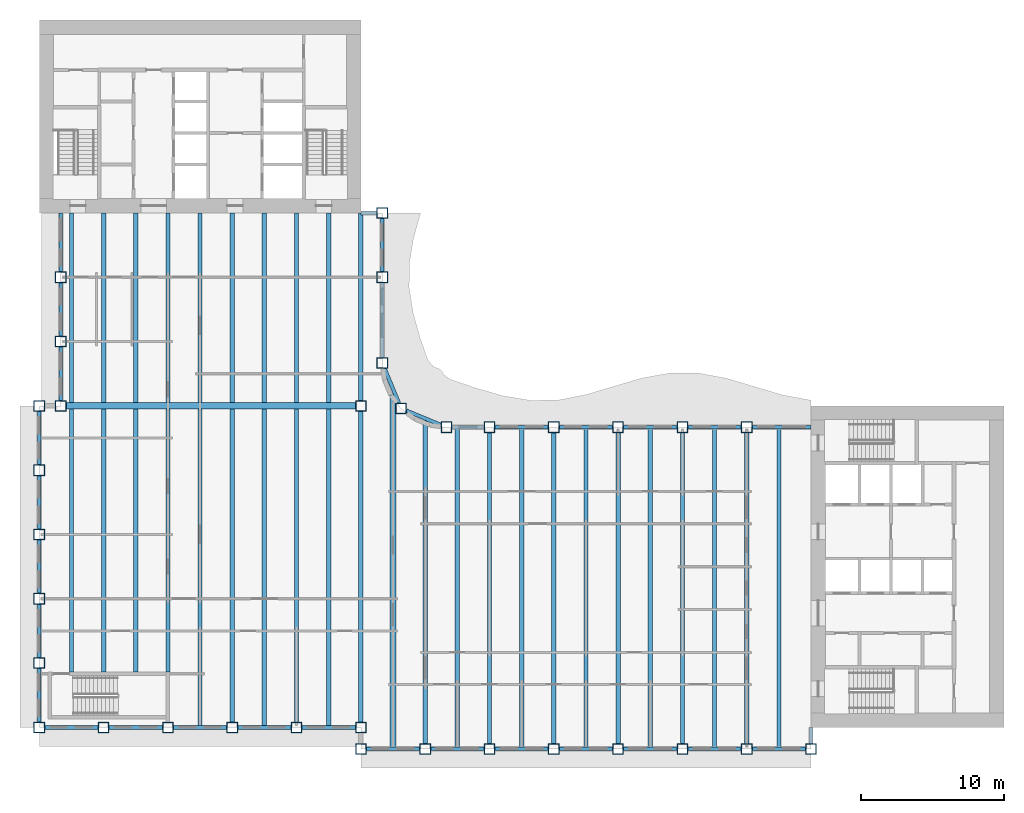
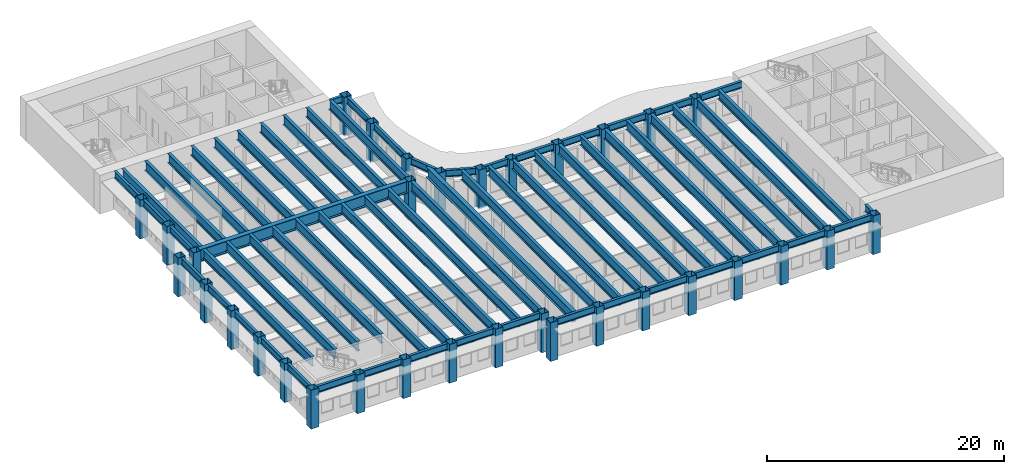
# One storey, part 1 of 17: 66 beams, 33 columns.
"""IFC4 building model written with IfcOpenShell, lengths in metres."""

from ifc_helpers import new_model, si_unit, direction, frame, origin, origin_2d, place, context, subcontext, project, spatial, hollow_rectangle, i_section, extrude, material, material_profile, profile_set, type_object, element, save


model = new_model("IFC4")

# Units and contexts
model_context = context("Model", 3, precision=1e-05, world=origin(), true_north=direction((0.0, 1.0)))
body_context = subcontext(model_context, "Body", "Model", "MODEL_VIEW")
ifc_project = project(units=[si_unit("LENGTHUNIT", "METRE"), si_unit("AREAUNIT", "SQUARE_METRE"), si_unit("VOLUMEUNIT", "CUBIC_METRE"), si_unit("PLANEANGLEUNIT", "RADIAN"), si_unit("MASSUNIT", "GRAM", prefix="KILO")], contexts=[model_context])

# Site, building, storey
site_placement = place(None, origin())
site = spatial("IfcSite", under=ifc_project, at=site_placement, CompositionType="ELEMENT")
building_placement = place(site_placement, origin())
building = spatial("IfcBuilding", under=site, at=building_placement, Name="Sennacour Bend Tower", CompositionType="ELEMENT")
storey_placement = place(building_placement, frame((0.0, 0.0, 215.0)))
storey = spatial("IfcBuildingStorey", under=building, at=storey_placement, Name="L49", CompositionType="ELEMENT", Elevation=215.0)

# Columns
ifc_material_1 = material(Name="Steel ASTM A572 Grade 50", Category="steel")
ifc_material_profile_1 = material_profile(ifc_material_1, hollow_rectangle(XDim=0.75, YDim=0.75, WallThickness=0.035888671875, at=origin_2d()), Name="Steel ASTM A572 Grade 50", Category="steel")
ifc_profile_set_1 = profile_set([ifc_material_profile_1], Name="Steel ASTM A572 Grade 50")
column_type = type_object("IfcColumnType", Name="Box column 750", PredefinedType="COLUMN", material=ifc_profile_set_1)
for number, where, z_axis, x_axis, name in (
    (1, (0.0, 0.0, -0.14990234375), (0.0, 0.0, 1.0), (1.0, 0.0, 0.0), "Perimeter column C4 L49-001"),
    (2, (0.0, 4.5, -0.14990234375), (0.0, 0.0, 1.0), (1.0, 0.0, 0.0), "Perimeter column C4 L49-002"),
    (3, (0.0, 9.0, -0.14990234375), (0.0, 0.0, 1.0), (1.0, 0.0, 0.0), "Perimeter column C4 L49-003"),
    (4, (0.0, 13.5, -0.14990234375), (0.0, 0.0, 1.0), (1.0, 0.0, 0.0), "Perimeter column C4 L49-004"),
    (5, (0.0, 18.0, -0.14990234375), (0.0, 0.0, 1.0), (1.0, 0.0, 0.0), "Perimeter column C4 L49-005"),
    (6, (0.0, 22.5, -0.14990234375), (0.0, 0.0, 1.0), (1.0, 0.0, 0.0), "Perimeter column C4 L49-006"),
    (7, (1.5, 22.5, -0.14990234375), (0.0, 0.0, 1.0), (1.0, 0.0, 0.0), "Perimeter column C4 L49-007"),
    (8, (1.5, 27.0, -0.14990234375), (0.0, 0.0, 1.0), (1.0, 0.0, 0.0), "Perimeter column C4 L49-008"),
    (9, (1.5, 31.5, -0.14990234375), (0.0, 0.0, 1.0), (1.0, 0.0, 0.0), "Perimeter column C4 L49-009"),
    (10, (4.5, 0.0, -0.14990234375), (0.0, 0.0, 1.0), (1.0, 0.0, 0.0), "Perimeter column C4 L49-010"),
    (11, (9.0, 0.0, -0.14990234375), (0.0, 0.0, 1.0), (1.0, 0.0, 0.0), "Perimeter column C4 L49-011"),
    (12, (13.5, 0.0, -0.14990234375), (0.0, 0.0, 1.0), (1.0, 0.0, 0.0), "Perimeter column C4 L49-012"),
    (13, (18.0, 0.0, -0.14990234375), (0.0, 0.0, 1.0), (1.0, 0.0, 0.0), "Perimeter column C4 L49-013"),
    (14, (22.5, -1.5, -0.14990234375), (0.0, 0.0, 1.0), (1.0, 0.0, 0.0), "Perimeter column C4 L49-014"),
    (15, (22.5, 0.0, -0.14990234375), (0.0, 0.0, 1.0), (1.0, 0.0, 0.0), "Perimeter column C4 L49-015"),
    (16, (22.5, 22.5, -0.14990234375), (0.0, 0.0, 1.0), (1.0, 0.0, 0.0), "Knuckle column C4 L49-016"),
    (17, (24.0, 25.5, -0.14990234375), (0.0, 0.0, 1.0), (1.0, 0.0, 0.0), "Perimeter column C4 L49-017"),
    (18, (24.0, 31.5, -0.14990234375), (0.0, 0.0, 1.0), (1.0, 0.0, 0.0), "Perimeter column C4 L49-018"),
    (19, (24.0, 36.0, -0.14990234375), (0.0, 0.0, 1.0), (1.0, 0.0, 0.0), "Perimeter column C4 L49-019"),
    (20, (25.318115234375, 22.318115234375, -0.14990234375), (0.0, 0.0, 1.0), (1.0, 0.0, 0.0), "Perimeter column C4 L49-020"),
    (21, (27.0, -1.5, -0.14990234375), (0.0, 0.0, 1.0), (1.0, 0.0, 0.0), "Perimeter column C4 L49-021"),
    (22, (28.5, 21.0, -0.14990234375), (0.0, 0.0, 1.0), (1.0, 0.0, 0.0), "Perimeter column C4 L49-022"),
    (23, (31.5, -1.5, -0.14990234375), (0.0, 0.0, 1.0), (1.0, 0.0, 0.0), "Perimeter column C4 L49-023"),
    (24, (31.5, 21.0, -0.14990234375), (0.0, 0.0, 1.0), (1.0, 0.0, 0.0), "Perimeter column C4 L49-024"),
    (25, (36.0, -1.5, -0.14990234375), (0.0, 0.0, 1.0), (1.0, 0.0, 0.0), "Perimeter column C4 L49-025"),
    (26, (36.0, 21.0, -0.14990234375), (0.0, 0.0, 1.0), (1.0, 0.0, 0.0), "Perimeter column C4 L49-026"),
    (27, (40.5, -1.5, -0.14990234375), (0.0, 0.0, 1.0), (1.0, 0.0, 0.0), "Perimeter column C4 L49-027"),
    (28, (40.5, 21.0, -0.14990234375), (0.0, 0.0, 1.0), (1.0, 0.0, 0.0), "Perimeter column C4 L49-028"),
    (29, (45.0, -1.5, -0.14990234375), (0.0, 0.0, 1.0), (1.0, 0.0, 0.0), "Perimeter column C4 L49-029"),
    (30, (45.0, 21.0, -0.14990234375), (0.0, 0.0, 1.0), (1.0, 0.0, 0.0), "Perimeter column C4 L49-030"),
    (31, (49.5, -1.5, -0.14990234375), (0.0, 0.0, 1.0), (1.0, 0.0, 0.0), "Perimeter column C4 L49-031"),
    (32, (49.5, 21.0, -0.14990234375), (0.0, 0.0, 1.0), (1.0, 0.0, 0.0), "Perimeter column C4 L49-032"),
    (33, (54.0, -1.5, -0.14990234375), (0.0, 0.0, 1.0), (1.0, 0.0, 0.0), "Perimeter column C4 L49-033"),
):
    element("IfcColumn", number, at=place(storey_placement, frame(where, z_axis=z_axis, x_axis=x_axis)), inside=storey, type_object=column_type, Name=name, PredefinedType="COLUMN", context=body_context, shape_type="SweptSolid", body=[
        extrude(hollow_rectangle(XDim=0.75, YDim=0.75, WallThickness=0.035888671875, at=origin_2d()), origin(), (0.0, 0.0, 1.0), 4.0),
    ])

# Beams
ifc_material_2 = material(Name="Steel ASTM A992 Grade 50", Category="steel")
ifc_material_profile_2 = material_profile(ifc_material_2, i_section(OverallWidth=0.300048828125, OverallDepth=0.97998046875, WebThickness=0.0166015625, FlangeThickness=0.026123046875, FilletRadius=0.02978515625, at=origin_2d()), Name="Steel ASTM A992 Grade 50", Category="steel")
ifc_profile_set_2 = profile_set([ifc_material_profile_2], Name="Steel ASTM A992 Grade 50")
beam_type_1 = type_object("IfcBeamType", Name="Floor beam W1000X249", PredefinedType="BEAM", material=ifc_profile_set_2)
beam_1_placement = place(storey_placement, frame((2.25, 3.875, 3.360107421875), z_axis=(0.0, 1.0, 0.0), x_axis=(-1.0, 0.0, 0.0)))
element("IfcBeam", 34, at=beam_1_placement, inside=storey, type_object=beam_type_1, Name="Floor beam FBM2 L50-001", PredefinedType="BEAM", context=body_context, shape_type="SweptSolid", body=[
    extrude(i_section(OverallWidth=0.300048828125, OverallDepth=0.97998046875, WebThickness=0.0166015625, FlangeThickness=0.026123046875, FilletRadius=0.02978515625, at=origin_2d()), origin(), (0.0, 0.0, 1.0), 18.39990234375),
])
beam_2_placement = place(storey_placement, frame((2.25, 22.72509765625, 3.360107421875), z_axis=(0.0, 1.0, 0.0), x_axis=(-1.0, 0.0, 0.0)))
element("IfcBeam", 35, at=beam_2_placement, inside=storey, type_object=beam_type_1, Name="Floor beam FBM2 L50-002", PredefinedType="BEAM", context=body_context, shape_type="SweptSolid", body=[
    extrude(i_section(OverallWidth=0.300048828125, OverallDepth=0.97998046875, WebThickness=0.0166015625, FlangeThickness=0.026123046875, FilletRadius=0.02978515625, at=origin_2d()), origin(), (0.0, 0.0, 1.0), 13.27490234375),
])
beam_3_placement = place(storey_placement, frame((4.5, 3.875, 3.360107421875), z_axis=(0.0, 1.0, 0.0), x_axis=(-1.0, 0.0, 0.0)))
element("IfcBeam", 36, at=beam_3_placement, inside=storey, type_object=beam_type_1, Name="Floor beam FBM2 L50-003", PredefinedType="BEAM", context=body_context, shape_type="SweptSolid", body=[
    extrude(i_section(OverallWidth=0.300048828125, OverallDepth=0.97998046875, WebThickness=0.0166015625, FlangeThickness=0.026123046875, FilletRadius=0.02978515625, at=origin_2d()), origin(), (0.0, 0.0, 1.0), 18.39990234375),
])
beam_4_placement = place(storey_placement, frame((4.5, 22.72509765625, 3.360107421875), z_axis=(0.0, 1.0, 0.0), x_axis=(-1.0, 0.0, 0.0)))
element("IfcBeam", 37, at=beam_4_placement, inside=storey, type_object=beam_type_1, Name="Floor beam FBM2 L50-004", PredefinedType="BEAM", context=body_context, shape_type="SweptSolid", body=[
    extrude(i_section(OverallWidth=0.300048828125, OverallDepth=0.97998046875, WebThickness=0.0166015625, FlangeThickness=0.026123046875, FilletRadius=0.02978515625, at=origin_2d()), origin(), (0.0, 0.0, 1.0), 13.27490234375),
])
beam_5_placement = place(storey_placement, frame((6.75, 3.875, 3.360107421875), z_axis=(0.0, 1.0, 0.0), x_axis=(-1.0, 0.0, 0.0)))
element("IfcBeam", 38, at=beam_5_placement, inside=storey, type_object=beam_type_1, Name="Floor beam FBM2 L50-005", PredefinedType="BEAM", context=body_context, shape_type="SweptSolid", body=[
    extrude(i_section(OverallWidth=0.300048828125, OverallDepth=0.97998046875, WebThickness=0.0166015625, FlangeThickness=0.026123046875, FilletRadius=0.02978515625, at=origin_2d()), origin(), (0.0, 0.0, 1.0), 18.39990234375),
])
beam_6_placement = place(storey_placement, frame((6.75, 22.72509765625, 3.360107421875), z_axis=(0.0, 1.0, 0.0), x_axis=(-1.0, 0.0, 0.0)))
element("IfcBeam", 39, at=beam_6_placement, inside=storey, type_object=beam_type_1, Name="Floor beam FBM2 L50-006", PredefinedType="BEAM", context=body_context, shape_type="SweptSolid", body=[
    extrude(i_section(OverallWidth=0.300048828125, OverallDepth=0.97998046875, WebThickness=0.0166015625, FlangeThickness=0.026123046875, FilletRadius=0.02978515625, at=origin_2d()), origin(), (0.0, 0.0, 1.0), 13.27490234375),
])
beam_7_placement = place(storey_placement, frame((9.0, 3.875, 3.360107421875), z_axis=(0.0, 1.0, 0.0), x_axis=(-1.0, 0.0, 0.0)))
element("IfcBeam", 40, at=beam_7_placement, inside=storey, type_object=beam_type_1, Name="Floor beam FBM2 L50-007", PredefinedType="BEAM", context=body_context, shape_type="SweptSolid", body=[
    extrude(i_section(OverallWidth=0.300048828125, OverallDepth=0.97998046875, WebThickness=0.0166015625, FlangeThickness=0.026123046875, FilletRadius=0.02978515625, at=origin_2d()), origin(), (0.0, 0.0, 1.0), 18.39990234375),
])
beam_8_placement = place(storey_placement, frame((9.0, 22.72509765625, 3.360107421875), z_axis=(0.0, 1.0, 0.0), x_axis=(-1.0, 0.0, 0.0)))
element("IfcBeam", 41, at=beam_8_placement, inside=storey, type_object=beam_type_1, Name="Floor beam FBM2 L50-008", PredefinedType="BEAM", context=body_context, shape_type="SweptSolid", body=[
    extrude(i_section(OverallWidth=0.300048828125, OverallDepth=0.97998046875, WebThickness=0.0166015625, FlangeThickness=0.026123046875, FilletRadius=0.02978515625, at=origin_2d()), origin(), (0.0, 0.0, 1.0), 13.27490234375),
])
beam_9_placement = place(storey_placement, frame((11.25, 0.12841796875, 3.360107421875), z_axis=(0.0, 1.0, 0.0), x_axis=(-1.0, 0.0, 0.0)))
element("IfcBeam", 42, at=beam_9_placement, inside=storey, type_object=beam_type_1, Name="Floor beam FBM2 L50-009", PredefinedType="BEAM", context=body_context, shape_type="SweptSolid", body=[
    extrude(i_section(OverallWidth=0.300048828125, OverallDepth=0.97998046875, WebThickness=0.0166015625, FlangeThickness=0.026123046875, FilletRadius=0.02978515625, at=origin_2d()), origin(), (0.0, 0.0, 1.0), 22.146484375),
])
beam_10_placement = place(storey_placement, frame((11.25, 22.72509765625, 3.360107421875), z_axis=(0.0, 1.0, 0.0), x_axis=(-1.0, 0.0, 0.0)))
element("IfcBeam", 43, at=beam_10_placement, inside=storey, type_object=beam_type_1, Name="Floor beam FBM2 L50-010", PredefinedType="BEAM", context=body_context, shape_type="SweptSolid", body=[
    extrude(i_section(OverallWidth=0.300048828125, OverallDepth=0.97998046875, WebThickness=0.0166015625, FlangeThickness=0.026123046875, FilletRadius=0.02978515625, at=origin_2d()), origin(), (0.0, 0.0, 1.0), 13.27490234375),
])
beam_11_placement = place(storey_placement, frame((13.5, 0.375, 3.360107421875), z_axis=(0.0, 1.0, 0.0), x_axis=(-1.0, 0.0, 0.0)))
element("IfcBeam", 44, at=beam_11_placement, inside=storey, type_object=beam_type_1, Name="Floor beam FBM2 L50-011", PredefinedType="BEAM", context=body_context, shape_type="SweptSolid", body=[
    extrude(i_section(OverallWidth=0.300048828125, OverallDepth=0.97998046875, WebThickness=0.0166015625, FlangeThickness=0.026123046875, FilletRadius=0.02978515625, at=origin_2d()), origin(), (0.0, 0.0, 1.0), 21.89990234375),
])
beam_12_placement = place(storey_placement, frame((13.5, 22.72509765625, 3.360107421875), z_axis=(0.0, 1.0, 0.0), x_axis=(-1.0, 0.0, 0.0)))
element("IfcBeam", 45, at=beam_12_placement, inside=storey, type_object=beam_type_1, Name="Floor beam FBM2 L50-012", PredefinedType="BEAM", context=body_context, shape_type="SweptSolid", body=[
    extrude(i_section(OverallWidth=0.300048828125, OverallDepth=0.97998046875, WebThickness=0.0166015625, FlangeThickness=0.026123046875, FilletRadius=0.02978515625, at=origin_2d()), origin(), (0.0, 0.0, 1.0), 13.27490234375),
])
beam_13_placement = place(storey_placement, frame((15.75, 0.12841796875, 3.360107421875), z_axis=(0.0, 1.0, 0.0), x_axis=(-1.0, 0.0, 0.0)))
element("IfcBeam", 46, at=beam_13_placement, inside=storey, type_object=beam_type_1, Name="Floor beam FBM2 L50-013", PredefinedType="BEAM", context=body_context, shape_type="SweptSolid", body=[
    extrude(i_section(OverallWidth=0.300048828125, OverallDepth=0.97998046875, WebThickness=0.0166015625, FlangeThickness=0.026123046875, FilletRadius=0.02978515625, at=origin_2d()), origin(), (0.0, 0.0, 1.0), 22.146484375),
])
beam_14_placement = place(storey_placement, frame((15.75, 22.72509765625, 3.360107421875), z_axis=(0.0, 1.0, 0.0), x_axis=(-1.0, 0.0, 0.0)))
element("IfcBeam", 47, at=beam_14_placement, inside=storey, type_object=beam_type_1, Name="Floor beam FBM2 L50-014", PredefinedType="BEAM", context=body_context, shape_type="SweptSolid", body=[
    extrude(i_section(OverallWidth=0.300048828125, OverallDepth=0.97998046875, WebThickness=0.0166015625, FlangeThickness=0.026123046875, FilletRadius=0.02978515625, at=origin_2d()), origin(), (0.0, 0.0, 1.0), 13.27490234375),
])
beam_15_placement = place(storey_placement, frame((18.0, 0.375, 3.360107421875), z_axis=(0.0, 1.0, 0.0), x_axis=(-1.0, 0.0, 0.0)))
element("IfcBeam", 48, at=beam_15_placement, inside=storey, type_object=beam_type_1, Name="Floor beam FBM2 L50-015", PredefinedType="BEAM", context=body_context, shape_type="SweptSolid", body=[
    extrude(i_section(OverallWidth=0.300048828125, OverallDepth=0.97998046875, WebThickness=0.0166015625, FlangeThickness=0.026123046875, FilletRadius=0.02978515625, at=origin_2d()), origin(), (0.0, 0.0, 1.0), 21.89990234375),
])
beam_16_placement = place(storey_placement, frame((18.0, 22.72509765625, 3.360107421875), z_axis=(0.0, 1.0, 0.0), x_axis=(-1.0, 0.0, 0.0)))
element("IfcBeam", 49, at=beam_16_placement, inside=storey, type_object=beam_type_1, Name="Floor beam FBM2 L50-016", PredefinedType="BEAM", context=body_context, shape_type="SweptSolid", body=[
    extrude(i_section(OverallWidth=0.300048828125, OverallDepth=0.97998046875, WebThickness=0.0166015625, FlangeThickness=0.026123046875, FilletRadius=0.02978515625, at=origin_2d()), origin(), (0.0, 0.0, 1.0), 13.27490234375),
])
beam_17_placement = place(storey_placement, frame((20.25, 0.12841796875, 3.360107421875), z_axis=(0.0, 1.0, 0.0), x_axis=(-1.0, 0.0, 0.0)))
element("IfcBeam", 50, at=beam_17_placement, inside=storey, type_object=beam_type_1, Name="Floor beam FBM2 L50-017", PredefinedType="BEAM", context=body_context, shape_type="SweptSolid", body=[
    extrude(i_section(OverallWidth=0.300048828125, OverallDepth=0.97998046875, WebThickness=0.0166015625, FlangeThickness=0.026123046875, FilletRadius=0.02978515625, at=origin_2d()), origin(), (0.0, 0.0, 1.0), 22.146484375),
])
beam_18_placement = place(storey_placement, frame((20.25, 22.72509765625, 3.360107421875), z_axis=(0.0, 1.0, 0.0), x_axis=(-1.0, 0.0, 0.0)))
element("IfcBeam", 51, at=beam_18_placement, inside=storey, type_object=beam_type_1, Name="Floor beam FBM2 L50-018", PredefinedType="BEAM", context=body_context, shape_type="SweptSolid", body=[
    extrude(i_section(OverallWidth=0.300048828125, OverallDepth=0.97998046875, WebThickness=0.0166015625, FlangeThickness=0.026123046875, FilletRadius=0.02978515625, at=origin_2d()), origin(), (0.0, 0.0, 1.0), 13.27490234375),
])
beam_19_placement = place(storey_placement, frame((22.5, 0.375, 3.360107421875), z_axis=(0.0, 1.0, 0.0), x_axis=(-1.0, 0.0, 0.0)))
element("IfcBeam", 52, at=beam_19_placement, inside=storey, type_object=beam_type_1, Name="Floor beam FBM2 L50-019", PredefinedType="BEAM", context=body_context, shape_type="SweptSolid", body=[
    extrude(i_section(OverallWidth=0.300048828125, OverallDepth=0.97998046875, WebThickness=0.0166015625, FlangeThickness=0.026123046875, FilletRadius=0.02978515625, at=origin_2d()), origin(), (0.0, 0.0, 1.0), 21.75),
])
beam_20_placement = place(storey_placement, frame((22.5, 22.875, 3.360107421875), z_axis=(0.0, 1.0, 0.0), x_axis=(-1.0, 0.0, 0.0)))
element("IfcBeam", 53, at=beam_20_placement, inside=storey, type_object=beam_type_1, Name="Floor beam FBM2 L50-020", PredefinedType="BEAM", context=body_context, shape_type="SweptSolid", body=[
    extrude(i_section(OverallWidth=0.300048828125, OverallDepth=0.97998046875, WebThickness=0.0166015625, FlangeThickness=0.026123046875, FilletRadius=0.02978515625, at=origin_2d()), origin(), (0.0, 0.0, 1.0), 13.125),
])
beam_21_placement = place(storey_placement, frame((27.0, -1.125, 3.360107421875), z_axis=(0.0, 1.0, 0.0), x_axis=(-1.0, 0.0, 0.0)))
element("IfcBeam", 54, at=beam_21_placement, inside=storey, type_object=beam_type_1, Name="Floor beam FBM2 L50-022", PredefinedType="BEAM", context=body_context, shape_type="SweptSolid", body=[
    extrude(i_section(OverallWidth=0.300048828125, OverallDepth=0.97998046875, WebThickness=0.0166015625, FlangeThickness=0.026123046875, FilletRadius=0.02978515625, at=origin_2d()), origin(), (0.0, 0.0, 1.0), 22.607177734375),
])
beam_22_placement = place(storey_placement, frame((29.25, -1.37158203125, 3.360107421875), z_axis=(0.0, 1.0, 0.0), x_axis=(-1.0, 0.0, 0.0)))
element("IfcBeam", 55, at=beam_22_placement, inside=storey, type_object=beam_type_1, Name="Floor beam FBM2 L50-023", PredefinedType="BEAM", context=body_context, shape_type="SweptSolid", body=[
    extrude(i_section(OverallWidth=0.300048828125, OverallDepth=0.97998046875, WebThickness=0.0166015625, FlangeThickness=0.026123046875, FilletRadius=0.02978515625, at=origin_2d()), origin(), (0.0, 0.0, 1.0), 22.2431640625),
])
beam_23_placement = place(storey_placement, frame((31.5, -1.125, 3.360107421875), z_axis=(0.0, 1.0, 0.0), x_axis=(-1.0, 0.0, 0.0)))
element("IfcBeam", 56, at=beam_23_placement, inside=storey, type_object=beam_type_1, Name="Floor beam FBM2 L50-024", PredefinedType="BEAM", context=body_context, shape_type="SweptSolid", body=[
    extrude(i_section(OverallWidth=0.300048828125, OverallDepth=0.97998046875, WebThickness=0.0166015625, FlangeThickness=0.026123046875, FilletRadius=0.02978515625, at=origin_2d()), origin(), (0.0, 0.0, 1.0), 21.75),
])
beam_24_placement = place(storey_placement, frame((33.75, -1.37158203125, 3.360107421875), z_axis=(0.0, 1.0, 0.0), x_axis=(-1.0, 0.0, 0.0)))
element("IfcBeam", 57, at=beam_24_placement, inside=storey, type_object=beam_type_1, Name="Floor beam FBM2 L50-025", PredefinedType="BEAM", context=body_context, shape_type="SweptSolid", body=[
    extrude(i_section(OverallWidth=0.300048828125, OverallDepth=0.97998046875, WebThickness=0.0166015625, FlangeThickness=0.026123046875, FilletRadius=0.02978515625, at=origin_2d()), origin(), (0.0, 0.0, 1.0), 22.2431640625),
])
beam_25_placement = place(storey_placement, frame((36.0, -1.125, 3.360107421875), z_axis=(0.0, 1.0, 0.0), x_axis=(-1.0, 0.0, 0.0)))
element("IfcBeam", 58, at=beam_25_placement, inside=storey, type_object=beam_type_1, Name="Floor beam FBM2 L50-026", PredefinedType="BEAM", context=body_context, shape_type="SweptSolid", body=[
    extrude(i_section(OverallWidth=0.300048828125, OverallDepth=0.97998046875, WebThickness=0.0166015625, FlangeThickness=0.026123046875, FilletRadius=0.02978515625, at=origin_2d()), origin(), (0.0, 0.0, 1.0), 21.75),
])
beam_26_placement = place(storey_placement, frame((38.25, -1.37158203125, 3.360107421875), z_axis=(0.0, 1.0, 0.0), x_axis=(-1.0, 0.0, 0.0)))
element("IfcBeam", 59, at=beam_26_placement, inside=storey, type_object=beam_type_1, Name="Floor beam FBM2 L50-027", PredefinedType="BEAM", context=body_context, shape_type="SweptSolid", body=[
    extrude(i_section(OverallWidth=0.300048828125, OverallDepth=0.97998046875, WebThickness=0.0166015625, FlangeThickness=0.026123046875, FilletRadius=0.02978515625, at=origin_2d()), origin(), (0.0, 0.0, 1.0), 22.2431640625),
])
beam_27_placement = place(storey_placement, frame((40.5, -1.125, 3.360107421875), z_axis=(0.0, 1.0, 0.0), x_axis=(-1.0, 0.0, 0.0)))
element("IfcBeam", 60, at=beam_27_placement, inside=storey, type_object=beam_type_1, Name="Floor beam FBM2 L50-028", PredefinedType="BEAM", context=body_context, shape_type="SweptSolid", body=[
    extrude(i_section(OverallWidth=0.300048828125, OverallDepth=0.97998046875, WebThickness=0.0166015625, FlangeThickness=0.026123046875, FilletRadius=0.02978515625, at=origin_2d()), origin(), (0.0, 0.0, 1.0), 21.75),
])
beam_28_placement = place(storey_placement, frame((42.75, -1.37158203125, 3.360107421875), z_axis=(0.0, 1.0, 0.0), x_axis=(-1.0, 0.0, 0.0)))
element("IfcBeam", 61, at=beam_28_placement, inside=storey, type_object=beam_type_1, Name="Floor beam FBM2 L50-029", PredefinedType="BEAM", context=body_context, shape_type="SweptSolid", body=[
    extrude(i_section(OverallWidth=0.300048828125, OverallDepth=0.97998046875, WebThickness=0.0166015625, FlangeThickness=0.026123046875, FilletRadius=0.02978515625, at=origin_2d()), origin(), (0.0, 0.0, 1.0), 22.2431640625),
])
beam_29_placement = place(storey_placement, frame((45.0, -1.125, 3.360107421875), z_axis=(0.0, 1.0, 0.0), x_axis=(-1.0, 0.0, 0.0)))
element("IfcBeam", 62, at=beam_29_placement, inside=storey, type_object=beam_type_1, Name="Floor beam FBM2 L50-030", PredefinedType="BEAM", context=body_context, shape_type="SweptSolid", body=[
    extrude(i_section(OverallWidth=0.300048828125, OverallDepth=0.97998046875, WebThickness=0.0166015625, FlangeThickness=0.026123046875, FilletRadius=0.02978515625, at=origin_2d()), origin(), (0.0, 0.0, 1.0), 21.75),
])
beam_30_placement = place(storey_placement, frame((47.25, -1.37158203125, 3.360107421875), z_axis=(0.0, 1.0, 0.0), x_axis=(-1.0, 0.0, 0.0)))
element("IfcBeam", 63, at=beam_30_placement, inside=storey, type_object=beam_type_1, Name="Floor beam FBM2 L50-031", PredefinedType="BEAM", context=body_context, shape_type="SweptSolid", body=[
    extrude(i_section(OverallWidth=0.300048828125, OverallDepth=0.97998046875, WebThickness=0.0166015625, FlangeThickness=0.026123046875, FilletRadius=0.02978515625, at=origin_2d()), origin(), (0.0, 0.0, 1.0), 22.2431640625),
])
beam_31_placement = place(storey_placement, frame((49.5, -1.125, 3.360107421875), z_axis=(0.0, 1.0, 0.0), x_axis=(-1.0, 0.0, 0.0)))
element("IfcBeam", 64, at=beam_31_placement, inside=storey, type_object=beam_type_1, Name="Floor beam FBM2 L50-032", PredefinedType="BEAM", context=body_context, shape_type="SweptSolid", body=[
    extrude(i_section(OverallWidth=0.300048828125, OverallDepth=0.97998046875, WebThickness=0.0166015625, FlangeThickness=0.026123046875, FilletRadius=0.02978515625, at=origin_2d()), origin(), (0.0, 0.0, 1.0), 21.75),
])
beam_32_placement = place(storey_placement, frame((51.75, -1.37158203125, 3.360107421875), z_axis=(0.0, 1.0, 0.0), x_axis=(-1.0, 0.0, 0.0)))
element("IfcBeam", 65, at=beam_32_placement, inside=storey, type_object=beam_type_1, Name="Floor beam FBM2 L50-033", PredefinedType="BEAM", context=body_context, shape_type="SweptSolid", body=[
    extrude(i_section(OverallWidth=0.300048828125, OverallDepth=0.97998046875, WebThickness=0.0166015625, FlangeThickness=0.026123046875, FilletRadius=0.02978515625, at=origin_2d()), origin(), (0.0, 0.0, 1.0), 22.2431640625),
])
ifc_material_profile_3 = material_profile(ifc_material_1, i_section(OverallWidth=0.449951171875, OverallDepth=1.25, WebThickness=0.028076171875, FlangeThickness=0.050048828125, at=origin_2d()), Name="Steel ASTM A572 Grade 50", Category="steel")
ifc_profile_set_3 = profile_set([ifc_material_profile_3], Name="Steel ASTM A572 Grade 50")
beam_type_2 = type_object("IfcBeamType", Name="Knuckle girder 1250", PredefinedType="USERDEFINED", material=ifc_profile_set_3)
beam_33_placement = place(storey_placement, frame((1.875, 22.5, 3.22509765625), z_axis=(1.0, 0.0, 0.0), x_axis=(0.0, 1.0, 0.0)))
element("IfcBeam", 66, at=beam_33_placement, inside=storey, type_object=beam_type_2, Name="Knuckle girder GK L50-001", ObjectType="KNUCKLE GIRDER", PredefinedType="USERDEFINED", context=body_context, shape_type="SweptSolid", body=[
    extrude(i_section(OverallWidth=0.449951171875, OverallDepth=1.25, WebThickness=0.028076171875, FlangeThickness=0.050048828125, at=origin_2d()), origin(), (0.0, 0.0, 1.0), 20.25),
])
ifc_material_profile_4 = material_profile(ifc_material_2, i_section(OverallWidth=0.40087890625, OverallDepth=1.090087890625, WebThickness=0.01806640625, FlangeThickness=0.031005859375, FilletRadius=0.02001953125, at=origin_2d()), Name="Steel ASTM A992 Grade 50", Category="steel")
ifc_profile_set_4 = profile_set([ifc_material_profile_4], Name="Steel ASTM A992 Grade 50")
beam_type_3 = type_object("IfcBeamType", Name="Notch floor beam W1100X343", PredefinedType="BEAM", material=ifc_profile_set_4)
beam_34_placement = place(storey_placement, frame((24.75, -1.37158203125, 3.304931640625), z_axis=(0.0, 1.0, 0.0), x_axis=(-1.0, 0.0, 0.0)))
element("IfcBeam", 67, at=beam_34_placement, inside=storey, type_object=beam_type_3, Name="Floor beam FBM4 L50-021", PredefinedType="BEAM", context=body_context, shape_type="SweptSolid", body=[
    extrude(i_section(OverallWidth=0.40087890625, OverallDepth=1.090087890625, WebThickness=0.01806640625, FlangeThickness=0.031005859375, FilletRadius=0.02001953125, at=origin_2d()), origin(), (0.0, 0.0, 1.0), 24.72509765625),
])
ifc_material_profile_5 = material_profile(ifc_material_2, i_section(OverallWidth=0.257080078125, OverallDepth=0.693115234375, WebThickness=0.014404296875, FlangeThickness=0.023681640625, FilletRadius=0.015380859375, at=origin_2d()), Name="Steel ASTM A992 Grade 50", Category="steel")
ifc_profile_set_5 = profile_set([ifc_material_profile_5], Name="Steel ASTM A992 Grade 50")
beam_type_4 = type_object("IfcBeamType", Name="Spandrel beam W690X170", PredefinedType="SPANDREL", material=ifc_profile_set_5)
for number, where, z_axis, x_axis, name in (
    (68, (22.125, 0.0, 3.50341796875), (-1.0, 0.0, 0.0), (0.0, -1.0, 0.0), "Spandrel beam SP5 L50-001"),
    (69, (17.625, 0.0, 3.50341796875), (-1.0, 0.0, 0.0), (0.0, -1.0, 0.0), "Spandrel beam SP5 L50-002"),
    (70, (13.125, 0.0, 3.50341796875), (-1.0, 0.0, 0.0), (0.0, -1.0, 0.0), "Spandrel beam SP5 L50-003"),
    (71, (8.625, 0.0, 3.50341796875), (-1.0, 0.0, 0.0), (0.0, -1.0, 0.0), "Spandrel beam SP5 L50-004"),
    (72, (4.125, 0.0, 3.50341796875), (-1.0, 0.0, 0.0), (0.0, -1.0, 0.0), "Spandrel beam SP5 L50-005"),
    (73, (0.0, 0.375, 3.50341796875), (0.0, 1.0, 0.0), (-1.0, 0.0, 0.0), "Spandrel beam SP5 L50-006"),
    (74, (0.0, 4.875, 3.50341796875), (0.0, 1.0, 0.0), (-1.0, 0.0, 0.0), "Spandrel beam SP5 L50-007"),
    (75, (0.0, 9.375, 3.50341796875), (0.0, 1.0, 0.0), (-1.0, 0.0, 0.0), "Spandrel beam SP5 L50-008"),
    (76, (0.0, 13.875, 3.50341796875), (0.0, 1.0, 0.0), (-1.0, 0.0, 0.0), "Spandrel beam SP5 L50-009"),
    (77, (0.0, 18.375, 3.50341796875), (0.0, 1.0, 0.0), (-1.0, 0.0, 0.0), "Spandrel beam SP5 L50-010"),
    (78, (1.5, 22.875, 3.50341796875), (0.0, 1.0, 0.0), (-1.0, 0.0, 0.0), "Spandrel beam SP5 L50-011"),
    (79, (1.5, 27.375, 3.50341796875), (0.0, 1.0, 0.0), (-1.0, 0.0, 0.0), "Spandrel beam SP5 L50-012"),
):
    element("IfcBeam", number, at=place(storey_placement, frame(where, z_axis=z_axis, x_axis=x_axis)), inside=storey, type_object=beam_type_4, Name=name, PredefinedType="SPANDREL", context=body_context, shape_type="SweptSolid", body=[
        extrude(i_section(OverallWidth=0.257080078125, OverallDepth=0.693115234375, WebThickness=0.014404296875, FlangeThickness=0.023681640625, FilletRadius=0.015380859375, at=origin_2d()), origin(), (0.0, 0.0, 1.0), 3.75),
    ])
beam_35_placement = place(storey_placement, frame((1.5, 31.875, 3.50341796875), z_axis=(0.0, 1.0, 0.0), x_axis=(-1.0, 0.0, 0.0)))
element("IfcBeam", 80, at=beam_35_placement, inside=storey, type_object=beam_type_4, Name="Spandrel beam SP5 L50-013", PredefinedType="SPANDREL", context=body_context, shape_type="SweptSolid", body=[
    extrude(i_section(OverallWidth=0.257080078125, OverallDepth=0.693115234375, WebThickness=0.014404296875, FlangeThickness=0.023681640625, FilletRadius=0.015380859375, at=origin_2d()), origin(), (0.0, 0.0, 1.0), 4.125),
])
beam_36_placement = place(storey_placement, frame((22.5, 36.0, 3.50341796875), z_axis=(1.0, 0.0, 0.0), x_axis=(0.0, 1.0, 0.0)))
element("IfcBeam", 81, at=beam_36_placement, inside=storey, type_object=beam_type_4, Name="Spandrel beam SP5 L50-014", PredefinedType="SPANDREL", context=body_context, shape_type="SweptSolid", body=[
    extrude(i_section(OverallWidth=0.257080078125, OverallDepth=0.693115234375, WebThickness=0.014404296875, FlangeThickness=0.023681640625, FilletRadius=0.015380859375, at=origin_2d()), origin(), (0.0, 0.0, 1.0), 1.125),
])
beam_37_placement = place(storey_placement, frame((24.0, 35.625, 3.50341796875), z_axis=(0.0, -1.0, 0.0), x_axis=(1.0, 0.0, 0.0)))
element("IfcBeam", 82, at=beam_37_placement, inside=storey, type_object=beam_type_4, Name="Spandrel beam SP5 L50-015", PredefinedType="SPANDREL", context=body_context, shape_type="SweptSolid", body=[
    extrude(i_section(OverallWidth=0.257080078125, OverallDepth=0.693115234375, WebThickness=0.014404296875, FlangeThickness=0.023681640625, FilletRadius=0.015380859375, at=origin_2d()), origin(), (0.0, 0.0, 1.0), 3.75),
])
beam_38_placement = place(storey_placement, frame((24.0, 31.125, 3.50341796875), z_axis=(0.0, -1.0, 0.0), x_axis=(1.0, 0.0, 0.0)))
element("IfcBeam", 83, at=beam_38_placement, inside=storey, type_object=beam_type_4, Name="Spandrel beam SP5 L50-016", PredefinedType="SPANDREL", context=body_context, shape_type="SweptSolid", body=[
    extrude(i_section(OverallWidth=0.257080078125, OverallDepth=0.693115234375, WebThickness=0.014404296875, FlangeThickness=0.023681640625, FilletRadius=0.015380859375, at=origin_2d()), origin(), (0.0, 0.0, 1.0), 5.25),
])
for number, where, z_axis, x_axis, name in (
    (84, (24.1552734375, 25.125, 3.50341796875), (0.382684913195, -0.92387891913, 0.0), (0.92387891913, 0.382684913195, 0.0), "Spandrel beam SP5 L50-017"),
    (85, (25.693115234375, 22.16259765625, 3.50341796875), (0.92387891913, -0.382684913195, 0.0), (0.382684913195, 0.92387891913, 0.0), "Spandrel beam SP5 L50-018"),
):
    element("IfcBeam", number, at=place(storey_placement, frame(where, z_axis=z_axis, x_axis=x_axis)), inside=storey, type_object=beam_type_4, Name=name, PredefinedType="SPANDREL", context=body_context, shape_type="SweptSolid", body=[
        extrude(i_section(OverallWidth=0.257080078125, OverallDepth=0.693115234375, WebThickness=0.014404296875, FlangeThickness=0.023681640625, FilletRadius=0.015380859375, at=origin_2d()), origin(), (0.0, 0.0, 1.0), 2.63232421875),
    ])
beam_39_placement = place(storey_placement, frame((28.875, 21.0, 3.50341796875), z_axis=(1.0, 0.0, 0.0), x_axis=(0.0, 1.0, 0.0)))
element("IfcBeam", 86, at=beam_39_placement, inside=storey, type_object=beam_type_4, Name="Spandrel beam SP5 L50-019", PredefinedType="SPANDREL", context=body_context, shape_type="SweptSolid", body=[
    extrude(i_section(OverallWidth=0.257080078125, OverallDepth=0.693115234375, WebThickness=0.014404296875, FlangeThickness=0.023681640625, FilletRadius=0.015380859375, at=origin_2d()), origin(), (0.0, 0.0, 1.0), 2.25),
])
for number, where, z_axis, x_axis, name in (
    (87, (31.875, 21.0, 3.50341796875), (1.0, 0.0, 0.0), (0.0, 1.0, 0.0), "Spandrel beam SP5 L50-020"),
    (88, (36.375, 21.0, 3.50341796875), (1.0, 0.0, 0.0), (0.0, 1.0, 0.0), "Spandrel beam SP5 L50-021"),
    (89, (40.875, 21.0, 3.50341796875), (1.0, 0.0, 0.0), (0.0, 1.0, 0.0), "Spandrel beam SP5 L50-022"),
    (90, (45.375, 21.0, 3.50341796875), (1.0, 0.0, 0.0), (0.0, 1.0, 0.0), "Spandrel beam SP5 L50-023"),
):
    element("IfcBeam", number, at=place(storey_placement, frame(where, z_axis=z_axis, x_axis=x_axis)), inside=storey, type_object=beam_type_4, Name=name, PredefinedType="SPANDREL", context=body_context, shape_type="SweptSolid", body=[
        extrude(i_section(OverallWidth=0.257080078125, OverallDepth=0.693115234375, WebThickness=0.014404296875, FlangeThickness=0.023681640625, FilletRadius=0.015380859375, at=origin_2d()), origin(), (0.0, 0.0, 1.0), 3.75),
    ])
beam_40_placement = place(storey_placement, frame((49.875, 21.0, 3.50341796875), z_axis=(1.0, 0.0, 0.0), x_axis=(0.0, 1.0, 0.0)))
element("IfcBeam", 91, at=beam_40_placement, inside=storey, type_object=beam_type_4, Name="Spandrel beam SP5 L50-024", PredefinedType="SPANDREL", context=body_context, shape_type="SweptSolid", body=[
    extrude(i_section(OverallWidth=0.257080078125, OverallDepth=0.693115234375, WebThickness=0.014404296875, FlangeThickness=0.023681640625, FilletRadius=0.015380859375, at=origin_2d()), origin(), (0.0, 0.0, 1.0), 4.125),
])
beam_41_placement = place(storey_placement, frame((54.0, 0.0, 3.50341796875), z_axis=(0.0, -1.0, 0.0), x_axis=(1.0, 0.0, 0.0)))
element("IfcBeam", 92, at=beam_41_placement, inside=storey, type_object=beam_type_4, Name="Spandrel beam SP5 L50-025", PredefinedType="SPANDREL", context=body_context, shape_type="SweptSolid", body=[
    extrude(i_section(OverallWidth=0.257080078125, OverallDepth=0.693115234375, WebThickness=0.014404296875, FlangeThickness=0.023681640625, FilletRadius=0.015380859375, at=origin_2d()), origin(), (0.0, 0.0, 1.0), 1.125),
])
for number, where, z_axis, x_axis, name in (
    (93, (53.625, -1.5, 3.50341796875), (-1.0, 0.0, 0.0), (0.0, -1.0, 0.0), "Spandrel beam SP5 L50-026"),
    (94, (49.125, -1.5, 3.50341796875), (-1.0, 0.0, 0.0), (0.0, -1.0, 0.0), "Spandrel beam SP5 L50-027"),
    (95, (44.625, -1.5, 3.50341796875), (-1.0, 0.0, 0.0), (0.0, -1.0, 0.0), "Spandrel beam SP5 L50-028"),
    (96, (40.125, -1.5, 3.50341796875), (-1.0, 0.0, 0.0), (0.0, -1.0, 0.0), "Spandrel beam SP5 L50-029"),
    (97, (35.625, -1.5, 3.50341796875), (-1.0, 0.0, 0.0), (0.0, -1.0, 0.0), "Spandrel beam SP5 L50-030"),
    (98, (31.125, -1.5, 3.50341796875), (-1.0, 0.0, 0.0), (0.0, -1.0, 0.0), "Spandrel beam SP5 L50-031"),
    (99, (26.625, -1.5, 3.50341796875), (-1.0, 0.0, 0.0), (0.0, -1.0, 0.0), "Spandrel beam SP5 L50-032"),
):
    element("IfcBeam", number, at=place(storey_placement, frame(where, z_axis=z_axis, x_axis=x_axis)), inside=storey, type_object=beam_type_4, Name=name, PredefinedType="SPANDREL", context=body_context, shape_type="SweptSolid", body=[
        extrude(i_section(OverallWidth=0.257080078125, OverallDepth=0.693115234375, WebThickness=0.014404296875, FlangeThickness=0.023681640625, FilletRadius=0.015380859375, at=origin_2d()), origin(), (0.0, 0.0, 1.0), 3.75),
    ])

save(model, "model.ifc")
